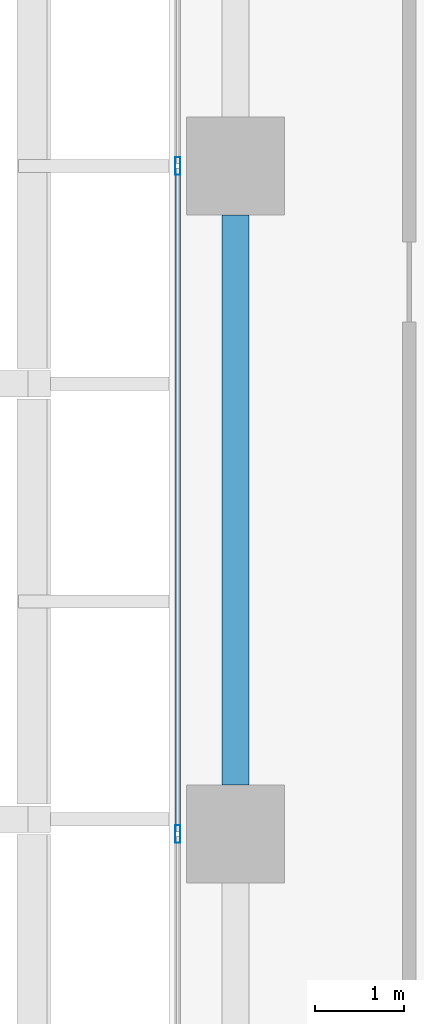
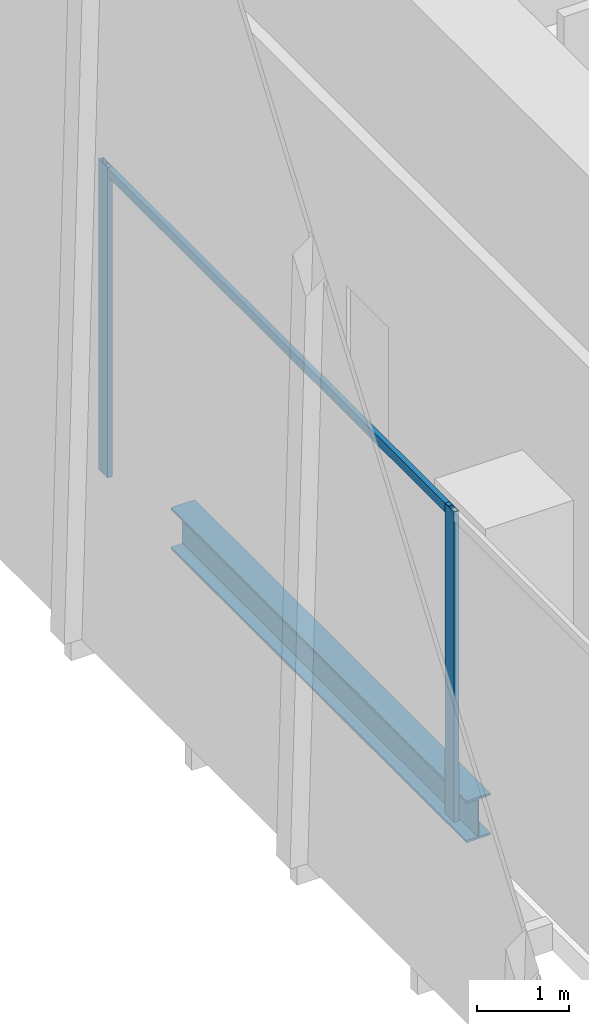
# One storey, part 7 of 36: 3 members, 1 beam, 1 element without a shape of its own.
"""IFC4 building model written with IfcOpenShell, lengths in metres."""

from ifc_helpers import new_model, si_unit, direction, frame, origin, origin_2d, place, context, subcontext, project, spatial, hollow_rectangle, i_section, extrude, source, transform, mapped, material, material_profile, profile_set, type_object, element, aggregate, save


model = new_model("IFC4")

# Units and contexts
model_context = context("Model", 3, precision=1e-05, world=origin(), true_north=direction((0.0, 1.0)))
body_context = subcontext(model_context, "Body", "Model", "MODEL_VIEW")
ifc_project = project(units=[si_unit("LENGTHUNIT", "METRE"), si_unit("AREAUNIT", "SQUARE_METRE"), si_unit("VOLUMEUNIT", "CUBIC_METRE"), si_unit("PLANEANGLEUNIT", "RADIAN"), si_unit("MASSUNIT", "GRAM", prefix="KILO")], contexts=[model_context])

# Site, building, storey
site_placement = place(None, origin())
site = spatial("IfcSite", under=ifc_project, at=site_placement, CompositionType="ELEMENT")
building_placement = place(site_placement, origin())
building = spatial("IfcBuilding", under=site, at=building_placement, Name="Khomas Fold Tower", CompositionType="ELEMENT")
storey_placement = place(building_placement, frame((0.0, 0.0, 141.10009765625)))
storey = spatial("IfcBuildingStorey", under=building, at=storey_placement, Name="L30", CompositionType="ELEMENT", Elevation=141.10009765625)

# Beam
ifc_material_1 = material(Name="Steel S355", Category="steel")
ifc_material_profile_1 = material_profile(ifc_material_1, i_section(OverallWidth=0.300048828125, OverallDepth=0.550048828125, WebThickness=0.014892578125, FlangeThickness=0.029052734375, at=origin_2d()), Name="HE 550 B")
ifc_profile_set_1 = profile_set([ifc_material_profile_1], Name="Steel S355")
beam_type = type_object("IfcBeamType", Name="HE 550 B spandrel SB2", PredefinedType="SPANDREL", material=ifc_profile_set_1)
shared_shape_1 = source(origin(), body_context, "Body", "SweptSolid", [
    extrude(i_section(OverallWidth=0.300048828125, OverallDepth=0.550048828125, WebThickness=0.014892578125, FlangeThickness=0.029052734375, at=origin_2d()), origin(), (0.0, 0.0, 1.0), 6.39990234375),
])
beam_placement = place(storey_placement, frame((2.25, 20.050048828125, -0.5751953125), z_axis=(0.0, 1.0, 0.0), x_axis=(-1.0, 0.0, 0.0)))
element("IfcBeam", 1, at=beam_placement, inside=storey, type_object=beam_type, Name="SB2", PredefinedType="SPANDREL", context=body_context, shape_type="MappedRepresentation", body=[
    mapped(shared_shape_1, transform((0.0, 0.0, 0.0))),
])

# Curtain wall, members
ifc_material_2 = material(Name="Aluminium framed double glazing", Category="aluminium")
curtain_wall_type = type_object("IfcCurtainWallType", Name="SK-Unitised clear-glass wall, growing floors CW1", PredefinedType="NOTDEFINED", material=ifc_material_2)
curtain_wall_placement = place(storey_placement, origin())
curtain_wall = element("IfcCurtainWall", 2, at=curtain_wall_placement, inside=storey, type_object=curtain_wall_type, Name="CW1 run L30 09-0", PredefinedType="NOTDEFINED")
ifc_material_3 = material(Name="Aluminium", Category="aluminium")
ifc_material_profile_2 = material_profile(ifc_material_3, hollow_rectangle(XDim=0.06005859375, YDim=0.1201171875, WallThickness=0.00390625, at=origin_2d()), Name="SK-Unitised clear-glass wall, growing floors transom CW1-T")
ifc_profile_set_2 = profile_set([ifc_material_profile_2], Name="Aluminium")
member_type_1 = type_object("IfcMemberType", Name="SK-Unitised clear-glass wall, growing floors transom CW1-T", PredefinedType="USERDEFINED", material=ifc_profile_set_2)
shared_shape_2 = source(origin(), body_context, "Body", "SweptSolid", [
    extrude(hollow_rectangle(XDim=0.06005859375, YDim=0.1201171875, WallThickness=0.00390625, at=origin_2d()), origin(), (0.0, 0.0, 1.0), 7.43994140625),
])
member_1_placement = place(storey_placement, frame((1.60009765625, 26.969970703125, 4.039794921875), z_axis=(0.0, -1.0, 0.0), x_axis=(1.0, 0.0, 0.0)))
member_1 = element("IfcMember", 3, at=member_1_placement, type_object=member_type_1, Name="CW1 transom 5", ObjectType="TRANSOM", PredefinedType="USERDEFINED", context=body_context, shape_type="MappedRepresentation", body=[
    mapped(shared_shape_2, transform((0.0, 0.0, 0.0))),
])
ifc_material_4 = material(Name="Aluminium", Category="aluminium")
ifc_material_profile_3 = material_profile(ifc_material_4, hollow_rectangle(XDim=0.06005859375, YDim=0.199951171875, WallThickness=0.00390625, at=origin_2d()), Name="SK-Unitised clear-glass wall, growing floors mullion CW1-M")
ifc_profile_set_3 = profile_set([ifc_material_profile_3], Name="Aluminium")
member_type_2 = type_object("IfcMemberType", Name="SK-Unitised clear-glass wall, growing floors mullion CW1-M", PredefinedType="MULLION", material=ifc_profile_set_3)
shared_shape_3 = source(origin(), body_context, "Body", "SweptSolid", [
    extrude(hollow_rectangle(XDim=0.06005859375, YDim=0.199951171875, WallThickness=0.00390625, at=origin_2d()), origin(), (0.0, 0.0, 1.0), 4.099853515625),
])
member_2_placement = place(storey_placement, frame((1.60009765625, 27.0, 0.0), z_axis=(0.0, 0.0, 1.0), x_axis=(1.0, 0.0, 0.0)))
member_2 = element("IfcMember", 4, at=member_2_placement, type_object=member_type_2, Name="CW1 mullion 5", PredefinedType="MULLION", context=body_context, shape_type="MappedRepresentation", body=[
    mapped(shared_shape_3, transform((0.0, 0.0, 0.0))),
])
member_3_placement = place(storey_placement, frame((1.60009765625, 19.5, 0.0), z_axis=(0.0, 0.0, 1.0), x_axis=(1.0, 0.0, 0.0)))
member_3 = element("IfcMember", 5, at=member_3_placement, type_object=member_type_2, Name="CW1 mullion 6", PredefinedType="MULLION", context=body_context, shape_type="MappedRepresentation", body=[
    mapped(shared_shape_3, transform((0.0, 0.0, 0.0))),
])
aggregate(curtain_wall, [member_2, member_3, member_1])

save(model, "model.ifc")
